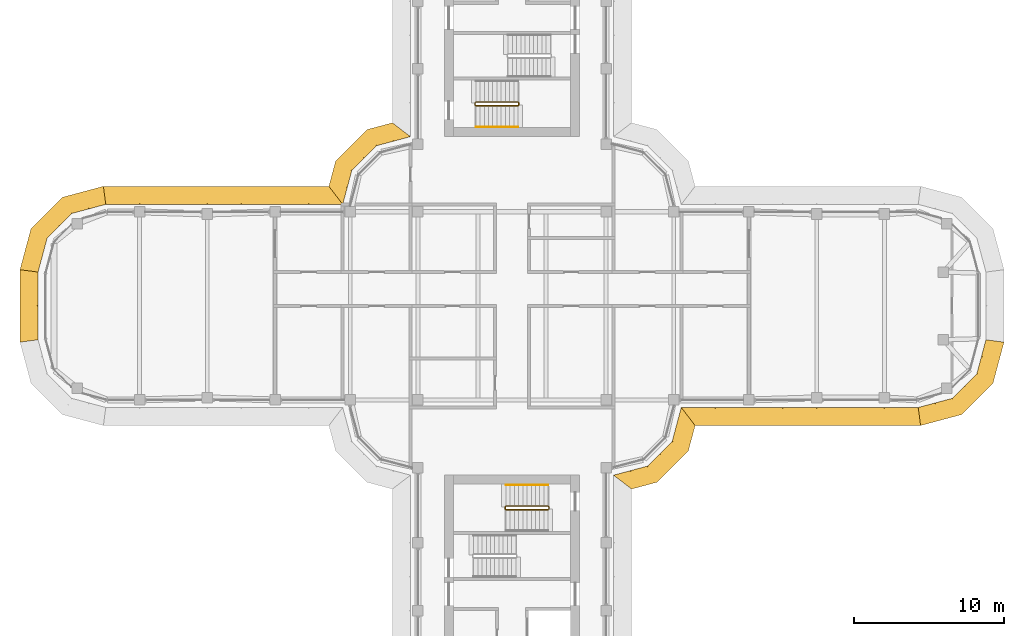
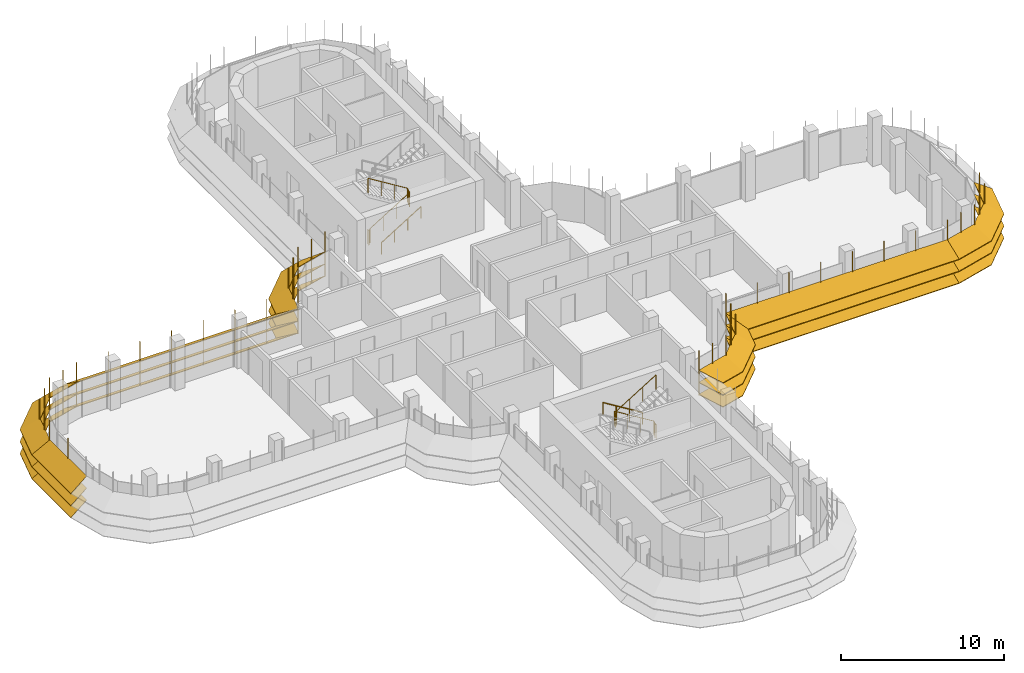
# One storey, part 17 of 18: 7 shading devices, 4 railings.
"""IFC4 building model written with IfcOpenShell, lengths in metres."""

from ifc_helpers import new_model, si_unit, direction, frame, origin, origin_2d, place, context, subcontext, project, spatial, polyline, circle, outline, extrude, faceted_brep, source, transform, mapped, material, type_object, element, save


model = new_model("IFC4")

# Units and contexts
model_context = context("Model", 3, precision=1e-05, world=origin(), true_north=direction((0.0, 1.0)))
body_context = subcontext(model_context, "Body", "Model", "MODEL_VIEW")
ifc_project = project(units=[si_unit("LENGTHUNIT", "METRE"), si_unit("AREAUNIT", "SQUARE_METRE"), si_unit("VOLUMEUNIT", "CUBIC_METRE"), si_unit("PLANEANGLEUNIT", "RADIAN"), si_unit("MASSUNIT", "GRAM", prefix="KILO")], contexts=[model_context])

# Site, building, storey
site_placement = place(None, origin())
site = spatial("IfcSite", under=ifc_project, at=site_placement, CompositionType="ELEMENT")
building_placement = place(site_placement, origin())
building = spatial("IfcBuilding", under=site, at=building_placement, Name="Zarbagh Exchange Tower", CompositionType="ELEMENT")
storey_placement = place(building_placement, frame((0.0, 0.0, 214.39990234375)))
storey = spatial("IfcBuildingStorey", under=building, at=storey_placement, Name="L52", CompositionType="ELEMENT", Elevation=214.39990234375)

# Railings
ifc_material_1 = material(Name="Stainless steel", Category="steel")
railing_type_1 = type_object("IfcRailingType", Name="Stair guard 1100 mm", PredefinedType="GUARDRAIL", material=ifc_material_1)
railing_1_placement = place(storey_placement, frame((-2.449951171875, 13.5, 0.0)))
element("IfcRailing", 1, at=railing_1_placement, inside=storey, type_object=railing_type_1, Name="ST2 stair guard 1", PredefinedType="GUARDRAIL", context=body_context, shape_type="SweptSolid", body=[
    extrude(circle(Radius=0.02392578125, at=origin_2d()), frame((0.0, 0.0, 1.076171875), z_axis=(0.0, -1.0, 0.0), x_axis=(1.0, 0.0, 0.0)), (0.0, 0.0, 1.0), 0.14990234375),
    extrude(circle(Radius=0.02392578125, at=origin_2d()), frame((0.0, -0.14990234375, 1.076171875), z_axis=(0.267953482034, -0.267953482034, 0.925419830635), x_axis=(0.707106781187, 0.707106781187, 0.0)), (0.0, 0.0, 1.0), 0.186767578125),
    extrude(circle(Radius=0.02392578125, at=origin_2d()), frame((0.050048828125, -0.199951171875, 1.2490234375), z_axis=(0.851069175582, 0.0, 0.525053576669), x_axis=(0.0, 1.0, 0.0)), (0.0, 0.0, 1.0), 3.289794921875),
    extrude(circle(Radius=0.02392578125, at=origin_2d()), frame((2.849853515625, -0.199951171875, 2.97607421875), z_axis=(0.707106781187, 0.707106781187, 0.0), x_axis=(-0.707106781187, 0.707106781187, 0.0)), (0.0, 0.0, 1.0), 0.07080078125),
    extrude(circle(Radius=0.02392578125, at=origin_2d()), frame((2.89990234375, -0.14990234375, 2.97607421875), z_axis=(0.0, 1.0, 0.0), x_axis=(-1.0, 0.0, 0.0)), (0.0, 0.0, 1.0), 0.14990234375),
    extrude(circle(Radius=0.02392578125, at=origin_2d()), frame((2.89990234375, 0.0, 2.97607421875), z_axis=(-0.268277960024, 0.268277960024, 0.925231793839), x_axis=(-0.707106781187, -0.707106781187, 0.0)), (0.0, 0.0, 1.0), 0.1865234375),
    extrude(circle(Radius=0.02392578125, at=origin_2d()), frame((2.849853515625, 0.050048828125, 3.14892578125), z_axis=(-0.851069175582, 0.0, 0.525053576669), x_axis=(0.0, -1.0, 0.0)), (0.0, 0.0, 1.0), 3.289794921875),
    extrude(circle(Radius=0.02099609375, at=origin_2d()), origin(), (0.0, 0.0, 1.0), 1.052001953125),
    extrude(circle(Radius=0.02099609375, at=origin_2d()), frame((0.0, -0.14990234375, 0.0)), (0.0, 0.0, 1.0), 1.052001953125),
    extrude(circle(Radius=0.02099609375, at=origin_2d()), frame((0.050048828125, -0.199951171875, 0.1728515625)), (0.0, 0.0, 1.0), 1.052001953125),
    extrude(circle(Radius=0.02099609375, at=origin_2d()), frame((0.9833984375, -0.199951171875, 0.74853515625)), (0.0, 0.0, 1.0), 1.052001953125),
    extrude(circle(Radius=0.02099609375, at=origin_2d()), frame((1.91650390625, -0.199951171875, 1.324462890625)), (0.0, 0.0, 1.0), 1.052001953125),
    extrude(circle(Radius=0.02099609375, at=origin_2d()), frame((2.849853515625, -0.199951171875, 1.900146484375)), (0.0, 0.0, 1.0), 1.052001953125),
    extrude(circle(Radius=0.02099609375, at=origin_2d()), frame((2.89990234375, -0.14990234375, 1.900146484375)), (0.0, 0.0, 1.0), 1.052001953125),
    extrude(circle(Radius=0.02099609375, at=origin_2d()), frame((2.89990234375, 0.0, 1.900146484375)), (0.0, 0.0, 1.0), 1.052001953125),
    extrude(circle(Radius=0.02099609375, at=origin_2d()), frame((2.849853515625, 0.050048828125, 2.07275390625)), (0.0, 0.0, 1.0), 1.052001953125),
    extrude(circle(Radius=0.02099609375, at=origin_2d()), frame((1.91650390625, 0.050048828125, 2.6484375)), (0.0, 0.0, 1.0), 1.052001953125),
    extrude(circle(Radius=0.02099609375, at=origin_2d()), frame((0.9833984375, 0.050048828125, 3.224365234375)), (0.0, 0.0, 1.0), 1.052001953125),
    extrude(circle(Radius=0.02099609375, at=origin_2d()), frame((0.050048828125, 0.050048828125, 3.800048828125)), (0.0, 0.0, 1.0), 1.052001953125),
])
railing_2_placement = place(storey_placement, frame((2.449951171875, -13.5, 0.0)))
element("IfcRailing", 2, at=railing_2_placement, inside=storey, type_object=railing_type_1, Name="ST4 stair guard 1", PredefinedType="GUARDRAIL", context=body_context, shape_type="SweptSolid", body=[
    extrude(circle(Radius=0.02392578125, at=origin_2d()), frame((0.0, 0.0, 1.076171875), z_axis=(0.0, 1.0, 0.0), x_axis=(-1.0, 0.0, 0.0)), (0.0, 0.0, 1.0), 0.14990234375),
    extrude(circle(Radius=0.02392578125, at=origin_2d()), frame((0.0, 0.14990234375, 1.076171875), z_axis=(-0.267953482034, 0.267953482034, 0.925419830635), x_axis=(-0.707106781187, -0.707106781187, 0.0)), (0.0, 0.0, 1.0), 0.186767578125),
    extrude(circle(Radius=0.02392578125, at=origin_2d()), frame((-0.050048828125, 0.199951171875, 1.2490234375), z_axis=(-0.851069175582, 0.0, 0.525053576669), x_axis=(0.0, -1.0, 0.0)), (0.0, 0.0, 1.0), 3.289794921875),
    extrude(circle(Radius=0.02392578125, at=origin_2d()), frame((-2.849853515625, 0.199951171875, 2.97607421875), z_axis=(-0.707106781187, -0.707106781187, 0.0), x_axis=(0.707106781187, -0.707106781187, 0.0)), (0.0, 0.0, 1.0), 0.07080078125),
    extrude(circle(Radius=0.02392578125, at=origin_2d()), frame((-2.89990234375, 0.14990234375, 2.97607421875), z_axis=(0.0, -1.0, 0.0), x_axis=(1.0, 0.0, 0.0)), (0.0, 0.0, 1.0), 0.14990234375),
    extrude(circle(Radius=0.02392578125, at=origin_2d()), frame((-2.89990234375, 0.0, 2.97607421875), z_axis=(0.268277960024, -0.268277960024, 0.925231793839), x_axis=(0.707106781187, 0.707106781187, 0.0)), (0.0, 0.0, 1.0), 0.1865234375),
    extrude(circle(Radius=0.02392578125, at=origin_2d()), frame((-2.849853515625, -0.050048828125, 3.14892578125), z_axis=(0.851069175582, 0.0, 0.525053576669), x_axis=(0.0, 1.0, 0.0)), (0.0, 0.0, 1.0), 3.289794921875),
    extrude(circle(Radius=0.02099609375, at=origin_2d()), origin(), (0.0, 0.0, 1.0), 1.052001953125),
    extrude(circle(Radius=0.02099609375, at=origin_2d()), frame((0.0, 0.14990234375, 0.0)), (0.0, 0.0, 1.0), 1.052001953125),
    extrude(circle(Radius=0.02099609375, at=origin_2d()), frame((-0.050048828125, 0.199951171875, 0.1728515625)), (0.0, 0.0, 1.0), 1.052001953125),
    extrude(circle(Radius=0.02099609375, at=origin_2d()), frame((-0.9833984375, 0.199951171875, 0.74853515625)), (0.0, 0.0, 1.0), 1.052001953125),
    extrude(circle(Radius=0.02099609375, at=origin_2d()), frame((-1.91650390625, 0.199951171875, 1.324462890625)), (0.0, 0.0, 1.0), 1.052001953125),
    extrude(circle(Radius=0.02099609375, at=origin_2d()), frame((-2.849853515625, 0.199951171875, 1.900146484375)), (0.0, 0.0, 1.0), 1.052001953125),
    extrude(circle(Radius=0.02099609375, at=origin_2d()), frame((-2.89990234375, 0.14990234375, 1.900146484375)), (0.0, 0.0, 1.0), 1.052001953125),
    extrude(circle(Radius=0.02099609375, at=origin_2d()), frame((-2.89990234375, 0.0, 1.900146484375)), (0.0, 0.0, 1.0), 1.052001953125),
    extrude(circle(Radius=0.02099609375, at=origin_2d()), frame((-2.849853515625, -0.050048828125, 2.07275390625)), (0.0, 0.0, 1.0), 1.052001953125),
    extrude(circle(Radius=0.02099609375, at=origin_2d()), frame((-1.91650390625, -0.050048828125, 2.6484375)), (0.0, 0.0, 1.0), 1.052001953125),
    extrude(circle(Radius=0.02099609375, at=origin_2d()), frame((-0.9833984375, -0.050048828125, 3.224365234375)), (0.0, 0.0, 1.0), 1.052001953125),
    extrude(circle(Radius=0.02099609375, at=origin_2d()), frame((-0.050048828125, -0.050048828125, 3.800048828125)), (0.0, 0.0, 1.0), 1.052001953125),
])
railing_type_2 = type_object("IfcRailingType", Name="Stair handrail 900 mm", PredefinedType="HANDRAIL", material=ifc_material_1)
railing_3_placement = place(storey_placement, frame((-2.39990234375, 11.89990234375, 0.1728515625)))
element("IfcRailing", 3, at=railing_3_placement, inside=storey, type_object=railing_type_2, Name="ST2 stair handrail 1", PredefinedType="HANDRAIL", context=body_context, shape_type="SweptSolid", body=[
    extrude(circle(Radius=0.02392578125, at=origin_2d()), frame((0.0, 0.0, 0.8759765625), z_axis=(0.851069175582, 0.0, 0.525053576669), x_axis=(0.0, 1.0, 0.0)), (0.0, 0.0, 1.0), 3.289794921875),
    extrude(circle(Radius=0.02099609375, at=origin_2d()), origin(), (0.0, 0.0, 1.0), 0.851806640625),
    extrude(circle(Radius=0.02099609375, at=origin_2d()), frame((0.933349609375, 0.0, 0.57568359375)), (0.0, 0.0, 1.0), 0.851806640625),
    extrude(circle(Radius=0.02099609375, at=origin_2d()), frame((1.866455078125, 0.0, 1.151611328125)), (0.0, 0.0, 1.0), 0.851806640625),
    extrude(circle(Radius=0.02099609375, at=origin_2d()), frame((2.7998046875, 0.0, 1.727294921875)), (0.0, 0.0, 1.0), 0.851806640625),
])
railing_4_placement = place(storey_placement, frame((2.39990234375, -11.89990234375, 0.1728515625)))
element("IfcRailing", 4, at=railing_4_placement, inside=storey, type_object=railing_type_2, Name="ST4 stair handrail 1", PredefinedType="HANDRAIL", context=body_context, shape_type="SweptSolid", body=[
    extrude(circle(Radius=0.02392578125, at=origin_2d()), frame((0.0, 0.0, 0.8759765625), z_axis=(-0.851069175582, 0.0, 0.525053576669), x_axis=(0.0, -1.0, 0.0)), (0.0, 0.0, 1.0), 3.289794921875),
    extrude(circle(Radius=0.02099609375, at=origin_2d()), origin(), (0.0, 0.0, 1.0), 0.851806640625),
    extrude(circle(Radius=0.02099609375, at=origin_2d()), frame((-0.933349609375, 0.0, 0.57568359375)), (0.0, 0.0, 1.0), 0.851806640625),
    extrude(circle(Radius=0.02099609375, at=origin_2d()), frame((-1.866455078125, 0.0, 1.151611328125)), (0.0, 0.0, 1.0), 0.851806640625),
    extrude(circle(Radius=0.02099609375, at=origin_2d()), frame((-2.7998046875, 0.0, 1.727294921875)), (0.0, 0.0, 1.0), 0.851806640625),
])

# Shading devices
ifc_material_2 = material(Name="Anodised aluminium blades and brackets", Category="aluminium")
shading_device_type = type_object("IfcShadingDeviceType", Name="SUNSHADE louvre band, 33.75 degree blades", PredefinedType="JALOUSIE", material=ifc_material_2)
shared_shape_1 = source(origin(), body_context, "Body", "Brep", [
    faceted_brep([(0.0, 0.0, 0.0), (0.0, 0.0, -0.048095703125), (-0.157958984375, -1.199951171875, -0.849853515625), (-0.157958984375, -1.199951171875, -0.8017578125), (2.65087890625, -1.199951171875, -0.8017578125), (2.65087890625, -1.199951171875, -0.849853515625), (2.329345703125, 0.0, -0.048095703125), (2.329345703125, 0.0, 0.0)], [[[0, 1, 2, 3]], [[4, 5, 6, 7]], [[0, 7, 6, 1]], [[1, 6, 5, 2]], [[2, 5, 4, 3]], [[3, 4, 7, 0]]]),
])
shared_shape_2 = source(origin(), body_context, "Body", "Brep", [
    faceted_brep([(0.0, 0.0, 0.0), (0.0, 0.0, -0.048095703125), (-0.321533203125, -1.199951171875, -0.849853515625), (-0.321533203125, -1.199951171875, -0.8017578125), (2.65087890625, -1.199951171875, -0.8017578125), (2.65087890625, -1.199951171875, -0.849853515625), (2.329345703125, 0.0, -0.048095703125), (2.329345703125, 0.0, 0.0)], [[[0, 1, 2, 3]], [[4, 5, 6, 7]], [[0, 7, 6, 1]], [[1, 6, 5, 2]], [[2, 5, 4, 3]], [[3, 4, 7, 0]]]),
])
shared_shape_3 = source(origin(), body_context, "Body", "Brep", [
    faceted_brep([(0.0, 0.0, 0.0), (0.0, 0.0, -0.048095703125), (-0.321533203125, -1.199951171875, -0.849853515625), (-0.321533203125, -1.199951171875, -0.8017578125), (2.4873046875, -1.199951171875, -0.8017578125), (2.4873046875, -1.199951171875, -0.849853515625), (2.329345703125, 0.0, -0.048095703125), (2.329345703125, 0.0, 0.0)], [[[0, 1, 2, 3]], [[4, 5, 6, 7]], [[0, 7, 6, 1]], [[1, 6, 5, 2]], [[2, 5, 4, 3]], [[3, 4, 7, 0]]]),
])
shared_shape_4 = source(origin(), body_context, "Body", "SweptSolid", [
    extrude(outline(polyline([(0.0, -0.012451171875), (0.06005859375, -0.012451171875), (0.06005859375, 0.012451171875), (0.0, 0.012451171875), (0.0, -0.012451171875)])), origin(), (0.0, 0.0, 1.0), 3.358154296875),
])
placement = place(storey_placement, origin())
element("IfcShadingDevice", 5, at=placement, inside=storey, type_object=shading_device_type, Name="SS31 sunshade band", PredefinedType="JALOUSIE", context=body_context, shape_type="MappedRepresentation", body=[
    mapped(shared_shape_1, transform((27.0, -6.75, 2.300048828125), x_axis=(0.965924289636, 0.258824779902, 0.0), y_axis=(-0.258824779902, 0.965924289636, 0.0), z_axis=(0.0, 0.0, 1.0))),
    mapped(shared_shape_1, transform((27.0, -6.75, 1.400146484375), x_axis=(0.965924289636, 0.258824779902, 0.0), y_axis=(-0.258824779902, 0.965924289636, 0.0), z_axis=(0.0, 0.0, 1.0))),
    mapped(shared_shape_1, transform((27.0, -6.75, 0.5), x_axis=(0.965924289636, 0.258824779902, 0.0), y_axis=(-0.258824779902, 0.965924289636, 0.0), z_axis=(0.0, 0.0, 1.0))),
    mapped(shared_shape_2, transform((29.25, -6.147216796875, 2.300048828125), x_axis=(0.707106781187, 0.707106781187, 0.0), y_axis=(-0.707106781187, 0.707106781187, 0.0), z_axis=(0.0, 0.0, 1.0))),
    mapped(shared_shape_2, transform((29.25, -6.147216796875, 1.400146484375), x_axis=(0.707106781187, 0.707106781187, 0.0), y_axis=(-0.707106781187, 0.707106781187, 0.0), z_axis=(0.0, 0.0, 1.0))),
    mapped(shared_shape_2, transform((29.25, -6.147216796875, 0.5), x_axis=(0.707106781187, 0.707106781187, 0.0), y_axis=(-0.707106781187, 0.707106781187, 0.0), z_axis=(0.0, 0.0, 1.0))),
    mapped(shared_shape_3, transform((30.897216796875, -4.5, 2.300048828125), x_axis=(0.258824779902, 0.965924289636, 0.0), y_axis=(-0.965924289636, 0.258824779902, 0.0), z_axis=(0.0, 0.0, 1.0))),
    mapped(shared_shape_3, transform((30.897216796875, -4.5, 1.400146484375), x_axis=(0.258824779902, 0.965924289636, 0.0), y_axis=(-0.965924289636, 0.258824779902, 0.0), z_axis=(0.0, 0.0, 1.0))),
    mapped(shared_shape_3, transform((30.897216796875, -4.5, 0.5), x_axis=(0.258824779902, 0.965924289636, 0.0), y_axis=(-0.965924289636, 0.258824779902, 0.0), z_axis=(0.0, 0.0, 1.0))),
    mapped(shared_shape_4, transform((27.0, -6.75, 0.421875), x_axis=(0.130529263012, -0.991444457092, 0.0), y_axis=(0.991444457092, 0.130529263012, 0.0), z_axis=(0.0, 0.0, 1.0))),
    mapped(shared_shape_4, transform((28.125, -6.448486328125, 0.421875), x_axis=(0.258825058029, -0.96592421511, 0.0), y_axis=(0.96592421511, 0.258825058029, 0.0), z_axis=(0.0, 0.0, 1.0))),
    mapped(shared_shape_4, transform((29.25, -6.147216796875, 0.421875), x_axis=(0.50000275701, -0.866023812018, 0.0), y_axis=(0.866023812018, 0.50000275701, 0.0), z_axis=(0.0, 0.0, 1.0))),
    mapped(shared_shape_4, transform((30.073486328125, -5.323486328125, 0.421875), x_axis=(0.707106781187, -0.707106781187, 0.0), y_axis=(0.707106781187, 0.707106781187, 0.0), z_axis=(0.0, 0.0, 1.0))),
    mapped(shared_shape_4, transform((30.897216796875, -4.5, 0.421875), x_axis=(0.866023812018, -0.50000275701, 0.0), y_axis=(0.50000275701, 0.866023812018, 0.0), z_axis=(0.0, 0.0, 1.0))),
    mapped(shared_shape_4, transform((31.198486328125, -3.375, 0.421875), x_axis=(0.96592421511, -0.258825058029, 0.0), y_axis=(0.258825058029, 0.96592421511, 0.0), z_axis=(0.0, 0.0, 1.0))),
])
element("IfcShadingDevice", 6, at=placement, inside=storey, type_object=shading_device_type, Name="SS41 sunshade band", PredefinedType="JALOUSIE", context=body_context, shape_type="MappedRepresentation", body=[
    mapped(shared_shape_1, transform((-27.0, 6.75, 2.300048828125), x_axis=(-0.965924289636, -0.258824779902, 0.0), y_axis=(0.258824779902, -0.965924289636, 0.0), z_axis=(0.0, 0.0, 1.0))),
    mapped(shared_shape_1, transform((-27.0, 6.75, 1.400146484375), x_axis=(-0.965924289636, -0.258824779902, 0.0), y_axis=(0.258824779902, -0.965924289636, 0.0), z_axis=(0.0, 0.0, 1.0))),
    mapped(shared_shape_1, transform((-27.0, 6.75, 0.5), x_axis=(-0.965924289636, -0.258824779902, 0.0), y_axis=(0.258824779902, -0.965924289636, 0.0), z_axis=(0.0, 0.0, 1.0))),
    mapped(shared_shape_2, transform((-29.25, 6.147216796875, 2.300048828125), x_axis=(-0.707106781187, -0.707106781187, 0.0), y_axis=(0.707106781187, -0.707106781187, 0.0), z_axis=(0.0, 0.0, 1.0))),
    mapped(shared_shape_2, transform((-29.25, 6.147216796875, 1.400146484375), x_axis=(-0.707106781187, -0.707106781187, 0.0), y_axis=(0.707106781187, -0.707106781187, 0.0), z_axis=(0.0, 0.0, 1.0))),
    mapped(shared_shape_2, transform((-29.25, 6.147216796875, 0.5), x_axis=(-0.707106781187, -0.707106781187, 0.0), y_axis=(0.707106781187, -0.707106781187, 0.0), z_axis=(0.0, 0.0, 1.0))),
    mapped(shared_shape_3, transform((-30.897216796875, 4.5, 2.300048828125), x_axis=(-0.258824779902, -0.965924289636, 0.0), y_axis=(0.965924289636, -0.258824779902, 0.0), z_axis=(0.0, 0.0, 1.0))),
    mapped(shared_shape_3, transform((-30.897216796875, 4.5, 1.400146484375), x_axis=(-0.258824779902, -0.965924289636, 0.0), y_axis=(0.965924289636, -0.258824779902, 0.0), z_axis=(0.0, 0.0, 1.0))),
    mapped(shared_shape_3, transform((-30.897216796875, 4.5, 0.5), x_axis=(-0.258824779902, -0.965924289636, 0.0), y_axis=(0.965924289636, -0.258824779902, 0.0), z_axis=(0.0, 0.0, 1.0))),
    mapped(shared_shape_4, transform((-27.0, 6.75, 0.421875), x_axis=(-0.130529263012, 0.991444457092, 0.0), y_axis=(-0.991444457092, -0.130529263012, 0.0), z_axis=(0.0, 0.0, 1.0))),
    mapped(shared_shape_4, transform((-28.125, 6.448486328125, 0.421875), x_axis=(-0.258825058029, 0.96592421511, 0.0), y_axis=(-0.96592421511, -0.258825058029, 0.0), z_axis=(0.0, 0.0, 1.0))),
    mapped(shared_shape_4, transform((-29.25, 6.147216796875, 0.421875), x_axis=(-0.50000275701, 0.866023812018, 0.0), y_axis=(-0.866023812018, -0.50000275701, 0.0), z_axis=(0.0, 0.0, 1.0))),
    mapped(shared_shape_4, transform((-30.073486328125, 5.323486328125, 0.421875), x_axis=(-0.707106781187, 0.707106781187, 0.0), y_axis=(-0.707106781187, -0.707106781187, 0.0), z_axis=(0.0, 0.0, 1.0))),
    mapped(shared_shape_4, transform((-30.897216796875, 4.5, 0.421875), x_axis=(-0.866023812018, 0.50000275701, 0.0), y_axis=(-0.50000275701, -0.866023812018, 0.0), z_axis=(0.0, 0.0, 1.0))),
    mapped(shared_shape_4, transform((-31.198486328125, 3.375, 0.421875), x_axis=(-0.96592421511, 0.258825058029, 0.0), y_axis=(-0.258825058029, -0.96592421511, 0.0), z_axis=(0.0, 0.0, 1.0))),
])
shared_shape_5 = source(origin(), body_context, "Body", "Brep", [
    faceted_brep([(0.0, 0.0, 0.0), (0.0, 0.0, -0.048095703125), (0.9208984375, -1.199951171875, -0.849853515625), (0.9208984375, -1.199951171875, -0.8017578125), (2.65087890625, -1.199951171875, -0.8017578125), (2.65087890625, -1.199951171875, -0.849853515625), (2.329345703125, 0.0, -0.048095703125), (2.329345703125, 0.0, 0.0)], [[[0, 1, 2, 3]], [[4, 5, 6, 7]], [[0, 7, 6, 1]], [[1, 6, 5, 2]], [[2, 5, 4, 3]], [[3, 4, 7, 0]]]),
])
shared_shape_6 = source(origin(), body_context, "Body", "Brep", [
    faceted_brep([(0.0, 0.0, 0.0), (0.0, 0.0, -0.048095703125), (-0.321533203125, -1.199951171875, -0.849853515625), (-0.321533203125, -1.199951171875, -0.8017578125), (1.40869140625, -1.199951171875, -0.8017578125), (1.40869140625, -1.199951171875, -0.849853515625), (2.329345703125, 0.0, -0.048095703125), (2.329345703125, 0.0, 0.0)], [[[0, 1, 2, 3]], [[4, 5, 6, 7]], [[0, 7, 6, 1]], [[1, 6, 5, 2]], [[2, 5, 4, 3]], [[3, 4, 7, 0]]]),
])
element("IfcShadingDevice", 7, at=placement, inside=storey, type_object=shading_device_type, Name="SS03 sunshade band", PredefinedType="JALOUSIE", context=body_context, shape_type="MappedRepresentation", body=[
    mapped(shared_shape_5, transform((6.75, -11.25, 2.300048828125), x_axis=(0.965924289636, 0.258824779902, 0.0), y_axis=(-0.258824779902, 0.965924289636, 0.0), z_axis=(0.0, 0.0, 1.0))),
    mapped(shared_shape_5, transform((6.75, -11.25, 1.400146484375), x_axis=(0.965924289636, 0.258824779902, 0.0), y_axis=(-0.258824779902, 0.965924289636, 0.0), z_axis=(0.0, 0.0, 1.0))),
    mapped(shared_shape_5, transform((6.75, -11.25, 0.5), x_axis=(0.965924289636, 0.258824779902, 0.0), y_axis=(-0.258824779902, 0.965924289636, 0.0), z_axis=(0.0, 0.0, 1.0))),
    mapped(shared_shape_2, transform((9.0, -10.647216796875, 2.300048828125), x_axis=(0.707106781187, 0.707106781187, 0.0), y_axis=(-0.707106781187, 0.707106781187, 0.0), z_axis=(0.0, 0.0, 1.0))),
    mapped(shared_shape_2, transform((9.0, -10.647216796875, 1.400146484375), x_axis=(0.707106781187, 0.707106781187, 0.0), y_axis=(-0.707106781187, 0.707106781187, 0.0), z_axis=(0.0, 0.0, 1.0))),
    mapped(shared_shape_2, transform((9.0, -10.647216796875, 0.5), x_axis=(0.707106781187, 0.707106781187, 0.0), y_axis=(-0.707106781187, 0.707106781187, 0.0), z_axis=(0.0, 0.0, 1.0))),
    mapped(shared_shape_6, transform((10.647216796875, -9.0, 2.300048828125), x_axis=(0.258824779902, 0.965924289636, 0.0), y_axis=(-0.965924289636, 0.258824779902, 0.0), z_axis=(0.0, 0.0, 1.0))),
    mapped(shared_shape_6, transform((10.647216796875, -9.0, 1.400146484375), x_axis=(0.258824779902, 0.965924289636, 0.0), y_axis=(-0.965924289636, 0.258824779902, 0.0), z_axis=(0.0, 0.0, 1.0))),
    mapped(shared_shape_6, transform((10.647216796875, -9.0, 0.5), x_axis=(0.258824779902, 0.965924289636, 0.0), y_axis=(-0.965924289636, 0.258824779902, 0.0), z_axis=(0.0, 0.0, 1.0))),
    mapped(shared_shape_4, transform((6.75, -11.25, 0.421875), x_axis=(0.793355287, -0.608758892, 0.0), y_axis=(0.608758892, 0.793355287, 0.0), z_axis=(0.0, 0.0, 1.0))),
    mapped(shared_shape_4, transform((7.875, -10.948486328125, 0.421875), x_axis=(0.258825058029, -0.96592421511, 0.0), y_axis=(0.96592421511, 0.258825058029, 0.0), z_axis=(0.0, 0.0, 1.0))),
    mapped(shared_shape_4, transform((9.0, -10.647216796875, 0.421875), x_axis=(0.50000275701, -0.866023812018, 0.0), y_axis=(0.866023812018, 0.50000275701, 0.0), z_axis=(0.0, 0.0, 1.0))),
    mapped(shared_shape_4, transform((9.823486328125, -9.823486328125, 0.421875), x_axis=(0.707106781187, -0.707106781187, 0.0), y_axis=(0.707106781187, 0.707106781187, 0.0), z_axis=(0.0, 0.0, 1.0))),
    mapped(shared_shape_4, transform((10.647216796875, -9.0, 0.421875), x_axis=(0.866023812018, -0.50000275701, 0.0), y_axis=(0.50000275701, 0.866023812018, 0.0), z_axis=(0.0, 0.0, 1.0))),
    mapped(shared_shape_4, transform((10.948486328125, -7.875, 0.421875), x_axis=(0.96592421511, -0.258825058029, 0.0), y_axis=(0.258825058029, 0.96592421511, 0.0), z_axis=(0.0, 0.0, 1.0))),
])
element("IfcShadingDevice", 8, at=placement, inside=storey, type_object=shading_device_type, Name="SS15 sunshade band", PredefinedType="JALOUSIE", context=body_context, shape_type="MappedRepresentation", body=[
    mapped(shared_shape_5, transform((-6.75, 11.25, 2.300048828125), x_axis=(-0.965924289636, -0.258824779902, 0.0), y_axis=(0.258824779902, -0.965924289636, 0.0), z_axis=(0.0, 0.0, 1.0))),
    mapped(shared_shape_5, transform((-6.75, 11.25, 1.400146484375), x_axis=(-0.965924289636, -0.258824779902, 0.0), y_axis=(0.258824779902, -0.965924289636, 0.0), z_axis=(0.0, 0.0, 1.0))),
    mapped(shared_shape_5, transform((-6.75, 11.25, 0.5), x_axis=(-0.965924289636, -0.258824779902, 0.0), y_axis=(0.258824779902, -0.965924289636, 0.0), z_axis=(0.0, 0.0, 1.0))),
    mapped(shared_shape_2, transform((-9.0, 10.647216796875, 2.300048828125), x_axis=(-0.707106781187, -0.707106781187, 0.0), y_axis=(0.707106781187, -0.707106781187, 0.0), z_axis=(0.0, 0.0, 1.0))),
    mapped(shared_shape_2, transform((-9.0, 10.647216796875, 1.400146484375), x_axis=(-0.707106781187, -0.707106781187, 0.0), y_axis=(0.707106781187, -0.707106781187, 0.0), z_axis=(0.0, 0.0, 1.0))),
    mapped(shared_shape_2, transform((-9.0, 10.647216796875, 0.5), x_axis=(-0.707106781187, -0.707106781187, 0.0), y_axis=(0.707106781187, -0.707106781187, 0.0), z_axis=(0.0, 0.0, 1.0))),
    mapped(shared_shape_6, transform((-10.647216796875, 9.0, 2.300048828125), x_axis=(-0.258824779902, -0.965924289636, 0.0), y_axis=(0.965924289636, -0.258824779902, 0.0), z_axis=(0.0, 0.0, 1.0))),
    mapped(shared_shape_6, transform((-10.647216796875, 9.0, 1.400146484375), x_axis=(-0.258824779902, -0.965924289636, 0.0), y_axis=(0.965924289636, -0.258824779902, 0.0), z_axis=(0.0, 0.0, 1.0))),
    mapped(shared_shape_6, transform((-10.647216796875, 9.0, 0.5), x_axis=(-0.258824779902, -0.965924289636, 0.0), y_axis=(0.965924289636, -0.258824779902, 0.0), z_axis=(0.0, 0.0, 1.0))),
    mapped(shared_shape_4, transform((-6.75, 11.25, 0.421875), x_axis=(-0.793355287, 0.608758892, 0.0), y_axis=(-0.608758892, -0.793355287, 0.0), z_axis=(0.0, 0.0, 1.0))),
    mapped(shared_shape_4, transform((-7.875, 10.948486328125, 0.421875), x_axis=(-0.258825058029, 0.96592421511, 0.0), y_axis=(-0.96592421511, -0.258825058029, 0.0), z_axis=(0.0, 0.0, 1.0))),
    mapped(shared_shape_4, transform((-9.0, 10.647216796875, 0.421875), x_axis=(-0.50000275701, 0.866023812018, 0.0), y_axis=(-0.866023812018, -0.50000275701, 0.0), z_axis=(0.0, 0.0, 1.0))),
    mapped(shared_shape_4, transform((-9.823486328125, 9.823486328125, 0.421875), x_axis=(-0.707106781187, 0.707106781187, 0.0), y_axis=(-0.707106781187, -0.707106781187, 0.0), z_axis=(0.0, 0.0, 1.0))),
    mapped(shared_shape_4, transform((-10.647216796875, 9.0, 0.421875), x_axis=(-0.866023812018, 0.50000275701, 0.0), y_axis=(-0.50000275701, -0.866023812018, 0.0), z_axis=(0.0, 0.0, 1.0))),
    mapped(shared_shape_4, transform((-10.948486328125, 7.875, 0.421875), x_axis=(-0.96592421511, 0.258825058029, 0.0), y_axis=(-0.258825058029, -0.96592421511, 0.0), z_axis=(0.0, 0.0, 1.0))),
])
shared_shape_7 = source(origin(), body_context, "Body", "Brep", [
    faceted_brep([(0.0, 0.0, 0.0), (0.0, 0.0, -0.048095703125), (0.9208984375, -1.199951171875, -0.849853515625), (0.9208984375, -1.199951171875, -0.8017578125), (15.907958984375, -1.199951171875, -0.8017578125), (15.907958984375, -1.199951171875, -0.849853515625), (15.75, 0.0, -0.048095703125), (15.75, 0.0, 0.0)], [[[0, 1, 2, 3]], [[4, 5, 6, 7]], [[0, 7, 6, 1]], [[1, 6, 5, 2]], [[2, 5, 4, 3]], [[3, 4, 7, 0]]]),
])
element("IfcShadingDevice", 9, at=placement, inside=storey, type_object=shading_device_type, Name="SS30 sunshade band", PredefinedType="JALOUSIE", context=body_context, shape_type="MappedRepresentation", body=[
    mapped(shared_shape_7, transform((11.25, -6.75, 2.300048828125), x_axis=(1.0, 0.0, 0.0), y_axis=(0.0, 1.0, 0.0), z_axis=(0.0, 0.0, 1.0))),
    mapped(shared_shape_7, transform((11.25, -6.75, 1.400146484375), x_axis=(1.0, 0.0, 0.0), y_axis=(0.0, 1.0, 0.0), z_axis=(0.0, 0.0, 1.0))),
    mapped(shared_shape_7, transform((11.25, -6.75, 0.5), x_axis=(1.0, 0.0, 0.0), y_axis=(0.0, 1.0, 0.0), z_axis=(0.0, 0.0, 1.0))),
    mapped(shared_shape_4, transform((11.25, -6.75, 0.421875), x_axis=(0.608758892, -0.793355287, 0.0), y_axis=(0.793355287, 0.608758892, 0.0), z_axis=(0.0, 0.0, 1.0))),
    mapped(shared_shape_4, transform((13.5, -6.75, 0.421875), x_axis=(0.0, -1.0, 0.0), y_axis=(1.0, 0.0, 0.0), z_axis=(0.0, 0.0, 1.0))),
    mapped(shared_shape_4, transform((15.75, -6.75, 0.421875), x_axis=(0.0, -1.0, 0.0), y_axis=(1.0, 0.0, 0.0), z_axis=(0.0, 0.0, 1.0))),
    mapped(shared_shape_4, transform((18.0, -6.75, 0.421875), x_axis=(0.0, -1.0, 0.0), y_axis=(1.0, 0.0, 0.0), z_axis=(0.0, 0.0, 1.0))),
    mapped(shared_shape_4, transform((20.25, -6.75, 0.421875), x_axis=(0.0, -1.0, 0.0), y_axis=(1.0, 0.0, 0.0), z_axis=(0.0, 0.0, 1.0))),
    mapped(shared_shape_4, transform((22.5, -6.75, 0.421875), x_axis=(0.0, -1.0, 0.0), y_axis=(1.0, 0.0, 0.0), z_axis=(0.0, 0.0, 1.0))),
    mapped(shared_shape_4, transform((24.75, -6.75, 0.421875), x_axis=(0.0, -1.0, 0.0), y_axis=(1.0, 0.0, 0.0), z_axis=(0.0, 0.0, 1.0))),
])
element("IfcShadingDevice", 10, at=placement, inside=storey, type_object=shading_device_type, Name="SS40 sunshade band", PredefinedType="JALOUSIE", context=body_context, shape_type="MappedRepresentation", body=[
    mapped(shared_shape_7, transform((-11.25, 6.75, 2.300048828125), x_axis=(-1.0, 0.0, 0.0), y_axis=(0.0, -1.0, 0.0), z_axis=(0.0, 0.0, 1.0))),
    mapped(shared_shape_7, transform((-11.25, 6.75, 1.400146484375), x_axis=(-1.0, 0.0, 0.0), y_axis=(0.0, -1.0, 0.0), z_axis=(0.0, 0.0, 1.0))),
    mapped(shared_shape_7, transform((-11.25, 6.75, 0.5), x_axis=(-1.0, 0.0, 0.0), y_axis=(0.0, -1.0, 0.0), z_axis=(0.0, 0.0, 1.0))),
    mapped(shared_shape_4, transform((-11.25, 6.75, 0.421875), x_axis=(-0.608758892, 0.793355287, 0.0), y_axis=(-0.793355287, -0.608758892, 0.0), z_axis=(0.0, 0.0, 1.0))),
    mapped(shared_shape_4, transform((-13.5, 6.75, 0.421875), x_axis=(0.0, 1.0, 0.0), y_axis=(-1.0, 0.0, 0.0), z_axis=(0.0, 0.0, 1.0))),
    mapped(shared_shape_4, transform((-15.75, 6.75, 0.421875), x_axis=(0.0, 1.0, 0.0), y_axis=(-1.0, 0.0, 0.0), z_axis=(0.0, 0.0, 1.0))),
    mapped(shared_shape_4, transform((-18.0, 6.75, 0.421875), x_axis=(0.0, 1.0, 0.0), y_axis=(-1.0, 0.0, 0.0), z_axis=(0.0, 0.0, 1.0))),
    mapped(shared_shape_4, transform((-20.25, 6.75, 0.421875), x_axis=(0.0, 1.0, 0.0), y_axis=(-1.0, 0.0, 0.0), z_axis=(0.0, 0.0, 1.0))),
    mapped(shared_shape_4, transform((-22.5, 6.75, 0.421875), x_axis=(0.0, 1.0, 0.0), y_axis=(-1.0, 0.0, 0.0), z_axis=(0.0, 0.0, 1.0))),
    mapped(shared_shape_4, transform((-24.75, 6.75, 0.421875), x_axis=(0.0, 1.0, 0.0), y_axis=(-1.0, 0.0, 0.0), z_axis=(0.0, 0.0, 1.0))),
])
shared_shape_8 = source(origin(), body_context, "Body", "Brep", [
    faceted_brep([(0.0, 0.0, 0.0), (0.0, 0.0, -0.048095703125), (-0.157958984375, -1.199951171875, -0.849853515625), (-0.157958984375, -1.199951171875, -0.8017578125), (4.657958984375, -1.199951171875, -0.8017578125), (4.657958984375, -1.199951171875, -0.849853515625), (4.5, 0.0, -0.048095703125), (4.5, 0.0, 0.0)], [[[0, 1, 2, 3]], [[4, 5, 6, 7]], [[0, 7, 6, 1]], [[1, 6, 5, 2]], [[2, 5, 4, 3]], [[3, 4, 7, 0]]]),
])
element("IfcShadingDevice", 11, at=placement, inside=storey, type_object=shading_device_type, Name="SS42 sunshade band", PredefinedType="JALOUSIE", context=body_context, shape_type="MappedRepresentation", body=[
    mapped(shared_shape_8, transform((-31.5, 2.25, 2.300048828125), x_axis=(0.0, -1.0, 0.0), y_axis=(1.0, 0.0, 0.0), z_axis=(0.0, 0.0, 1.0))),
    mapped(shared_shape_8, transform((-31.5, 2.25, 1.400146484375), x_axis=(0.0, -1.0, 0.0), y_axis=(1.0, 0.0, 0.0), z_axis=(0.0, 0.0, 1.0))),
    mapped(shared_shape_8, transform((-31.5, 2.25, 0.5), x_axis=(0.0, -1.0, 0.0), y_axis=(1.0, 0.0, 0.0), z_axis=(0.0, 0.0, 1.0))),
    mapped(shared_shape_4, transform((-31.5, 2.25, 0.421875), x_axis=(-0.991444457092, 0.130529263012, 0.0), y_axis=(-0.130529263012, -0.991444457092, 0.0), z_axis=(0.0, 0.0, 1.0))),
    mapped(shared_shape_4, transform((-31.5, 0.0, 0.421875), x_axis=(-1.0, 0.0, 0.0), y_axis=(0.0, -1.0, 0.0), z_axis=(0.0, 0.0, 1.0))),
])

save(model, "model.ifc")
